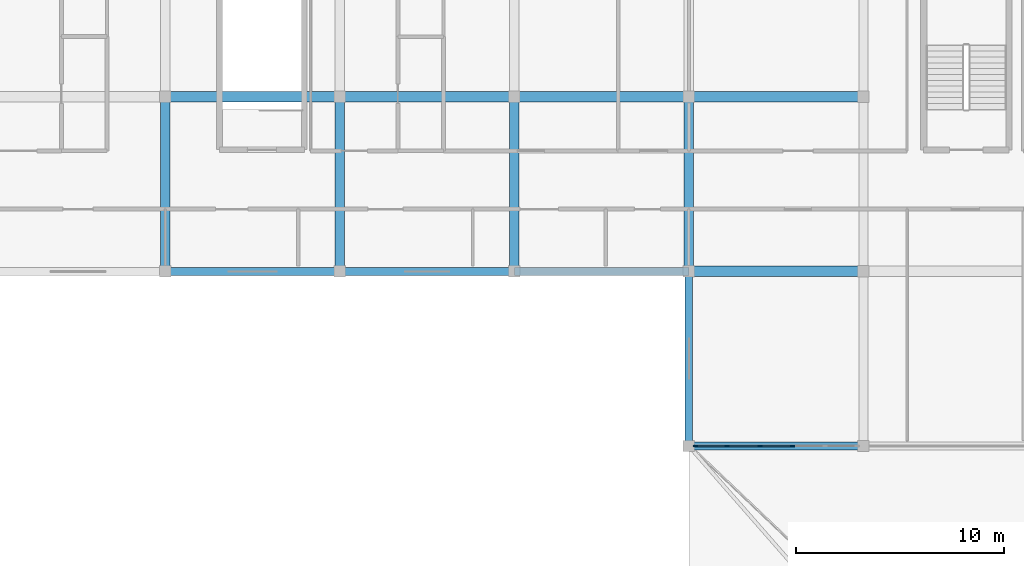
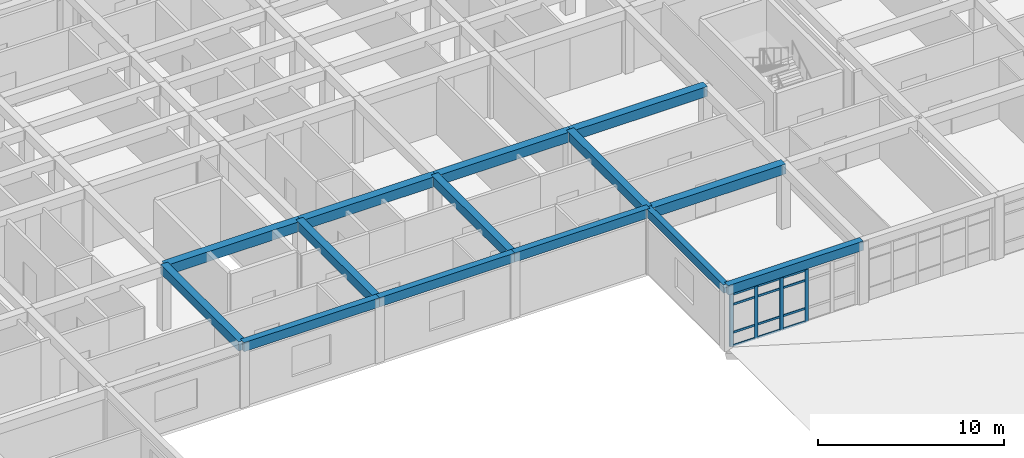
# One storey, part 13 of 77: 16 members, 14 beams, 1 element without a shape of its own.
"""IFC4 building model written with IfcOpenShell, lengths in metres."""

from ifc_helpers import new_model, si_unit, direction, frame, origin, origin_2d, place, context, subcontext, project, spatial, rectangle, extrude, material, material_profile, profile_set, type_object, element, aggregate, save


model = new_model("IFC4")

# Units and contexts
model_context = context("Model", 3, precision=1e-05, world=origin(), true_north=direction((0.0, 1.0)))
body_context = subcontext(model_context, "Body", "Model", "MODEL_VIEW")
ifc_project = project(units=[si_unit("LENGTHUNIT", "METRE"), si_unit("AREAUNIT", "SQUARE_METRE"), si_unit("VOLUMEUNIT", "CUBIC_METRE"), si_unit("PLANEANGLEUNIT", "RADIAN"), si_unit("MASSUNIT", "GRAM", prefix="KILO")], contexts=[model_context])

# Site, building, storey
site_placement = place(None, origin())
site = spatial("IfcSite", under=ifc_project, at=site_placement, CompositionType="ELEMENT")
building_placement = place(site_placement, origin())
building = spatial("IfcBuilding", under=site, at=building_placement, Name="Varncliffe General Hospital", CompositionType="ELEMENT")
storey_placement = place(building_placement, frame((0.0, 0.0, 16.199951171875)))
storey = spatial("IfcBuildingStorey", under=building, at=storey_placement, Name="L03", CompositionType="ELEMENT", Elevation=16.199951171875)

# Beams
ifc_material_1 = material(Name="Concrete C35/45 (CSA A23.1 35 MPa)", Category="concrete")
ifc_material_profile_1 = material_profile(ifc_material_1, rectangle(XDim=0.5, YDim=0.64990234375, at=origin_2d()), Name="RC 500x650")
ifc_profile_set_1 = profile_set([ifc_material_profile_1], Name="Concrete C35/45 (CSA A23.1 35 MPa)")
beam_type_1 = type_object("IfcBeamType", Name="Beam B29 (Int RC 500x650)", PredefinedType="BEAM", material=ifc_profile_set_1)
for number, where, z_axis, x_axis, name in (
    (1, (58.800048828125, 82.800048828125, 3.875), (1.0, 0.0, 0.0), (0.0, 1.0, 0.0), "L03 Primary Beam B29-72"),
    (2, (33.60009765625, 91.199951171875, 3.875), (1.0, 0.0, 0.0), (0.0, 1.0, 0.0), "L03 Primary Beam B29-90"),
    (3, (42.0, 91.199951171875, 3.875), (1.0, 0.0, 0.0), (0.0, 1.0, 0.0), "L03 Primary Beam B29-91"),
):
    element("IfcBeam", number, at=place(storey_placement, frame(where, z_axis=z_axis, x_axis=x_axis)), inside=storey, type_object=beam_type_1, Name=name, PredefinedType="BEAM", context=body_context, shape_type="SweptSolid", body=[
        extrude(rectangle(XDim=0.5, YDim=0.64990234375, at=origin_2d()), origin(), (0.0, 0.0, 1.0), 8.39990234375),
    ])
beam_1_placement = place(storey_placement, frame((50.39990234375, 91.199951171875, 3.875), z_axis=(1.0, 0.0, 0.0), x_axis=(0.0, 1.0, 0.0)))
element("IfcBeam", 4, at=beam_1_placement, inside=storey, type_object=beam_type_1, Name="L03 Primary Beam B29-92", PredefinedType="BEAM", context=body_context, shape_type="SweptSolid", body=[
    extrude(rectangle(XDim=0.5, YDim=0.64990234375, at=origin_2d()), origin(), (0.0, 0.0, 1.0), 8.400146484375),
])
beam_2_placement = place(storey_placement, frame((58.800048828125, 91.199951171875, 3.875), z_axis=(1.0, 0.0, 0.0), x_axis=(0.0, 1.0, 0.0)))
element("IfcBeam", 5, at=beam_2_placement, inside=storey, type_object=beam_type_1, Name="L03 Primary Beam B29-93", PredefinedType="BEAM", context=body_context, shape_type="SweptSolid", body=[
    extrude(rectangle(XDim=0.5, YDim=0.64990234375, at=origin_2d()), origin(), (0.0, 0.0, 1.0), 8.39990234375),
])
ifc_material_profile_2 = material_profile(ifc_material_1, rectangle(XDim=0.449951171875, YDim=0.60009765625, at=origin_2d()), Name="RC 450x600")
ifc_profile_set_2 = profile_set([ifc_material_profile_2], Name="Concrete C35/45 (CSA A23.1 35 MPa)")
beam_type_2 = type_object("IfcBeamType", Name="Beam B47 (Int RC 450x600)", PredefinedType="BEAM", material=ifc_profile_set_2)
for number, where, z_axis, x_axis, name in (
    (6, (33.60009765625, 82.800048828125, 3.900146484375), (0.0, 1.0, 0.0), (-1.0, 0.0, 0.0), "L03 Primary Beam B47-261"),
    (7, (42.0, 82.800048828125, 3.900146484375), (0.0, 1.0, 0.0), (-1.0, 0.0, 0.0), "L03 Primary Beam B47-268"),
    (8, (50.39990234375, 82.800048828125, 3.900146484375), (0.0, 1.0, 0.0), (-1.0, 0.0, 0.0), "L03 Primary Beam B47-275"),
    (9, (58.800048828125, 82.800048828125, 3.900146484375), (0.0, 1.0, 0.0), (-1.0, 0.0, 0.0), "L03 Primary Beam B47-283"),
):
    element("IfcBeam", number, at=place(storey_placement, frame(where, z_axis=z_axis, x_axis=x_axis)), inside=storey, type_object=beam_type_2, Name=name, PredefinedType="BEAM", context=body_context, shape_type="SweptSolid", body=[
        extrude(rectangle(XDim=0.449951171875, YDim=0.60009765625, at=origin_2d()), origin(), (0.0, 0.0, 1.0), 8.39990234375),
    ])

# Curtain wall, members
ifc_material_2 = material(Name="Triple low-E argon insulated vision glazing", Category="glass")
curtain_wall_type = type_object("IfcCurtainWallType", Name="Unitised Glazed Curtain Wall CW83 (7854x3440)", PredefinedType="USERDEFINED", material=ifc_material_2)
curtain_wall_placement = place(storey_placement, origin())
curtain_wall = element("IfcCurtainWall", 10, at=curtain_wall_placement, inside=storey, type_object=curtain_wall_type, Name="L03 Glazed Curtain Wall CW83-180", ObjectType="GLAZED CURTAIN WALL", PredefinedType="USERDEFINED")
ifc_material_3 = material(Name="Dark bronze thermally broken aluminium framing", Category="aluminium")
ifc_material_profile_3 = material_profile(ifc_material_3, rectangle(XDim=0.074951171875, YDim=0.219970703125, at=origin_2d()), Name="ALU 75x220")
ifc_profile_set_3 = profile_set([ifc_material_profile_3], Name="Dark bronze thermally broken aluminium framing")
member_type_1 = type_object("IfcMemberType", Name="Curtain Wall Mullion CM74 (ALU 75x220)", PredefinedType="MULLION", material=ifc_profile_set_3)
member_1_placement = place(storey_placement, frame((63.785400390625, 74.39990234375, 0.0), z_axis=(0.0, 0.0, 1.0), x_axis=(0.0, -1.0, 0.0)))
member_1 = element("IfcMember", 11, at=member_1_placement, type_object=member_type_1, Name="CW83 mullion 3", PredefinedType="MULLION", context=body_context, shape_type="SweptSolid", body=[
    extrude(rectangle(XDim=0.074951171875, YDim=0.219970703125, at=origin_2d()), origin(), (0.0, 0.0, 1.0), 3.43994140625),
])
member_2_placement = place(storey_placement, frame((62.214599609375, 74.39990234375, 0.0), z_axis=(0.0, 0.0, 1.0), x_axis=(0.0, -1.0, 0.0)))
member_2 = element("IfcMember", 12, at=member_2_placement, type_object=member_type_1, Name="CW83 mullion 4", PredefinedType="MULLION", context=body_context, shape_type="SweptSolid", body=[
    extrude(rectangle(XDim=0.074951171875, YDim=0.219970703125, at=origin_2d()), origin(), (0.0, 0.0, 1.0), 3.43994140625),
])
member_3_placement = place(storey_placement, frame((60.643798828125, 74.39990234375, 0.0), z_axis=(0.0, 0.0, 1.0), x_axis=(0.0, -1.0, 0.0)))
member_3 = element("IfcMember", 13, at=member_3_placement, type_object=member_type_1, Name="CW83 mullion 5", PredefinedType="MULLION", context=body_context, shape_type="SweptSolid", body=[
    extrude(rectangle(XDim=0.074951171875, YDim=0.219970703125, at=origin_2d()), origin(), (0.0, 0.0, 1.0), 3.43994140625),
])
member_4_placement = place(storey_placement, frame((59.110595703125, 74.39990234375, 0.0), z_axis=(0.0, 0.0, 1.0), x_axis=(0.0, -1.0, 0.0)))
member_4 = element("IfcMember", 14, at=member_4_placement, type_object=member_type_1, Name="CW83 mullion 6", PredefinedType="MULLION", context=body_context, shape_type="SweptSolid", body=[
    extrude(rectangle(XDim=0.074951171875, YDim=0.219970703125, at=origin_2d()), origin(), (0.0, 0.0, 1.0), 3.43994140625),
])
ifc_material_profile_4 = material_profile(ifc_material_3, rectangle(XDim=0.06494140625, YDim=0.139892578125, at=origin_2d()), Name="ALU 65x140")
ifc_profile_set_4 = profile_set([ifc_material_profile_4], Name="Dark bronze thermally broken aluminium framing")
member_type_2 = type_object("IfcMemberType", Name="Curtain Wall Transom CT69 (ALU 65x140)", PredefinedType="USERDEFINED", material=ifc_profile_set_4)
member_5_placement = place(storey_placement, frame((63.747802734375, 74.39990234375, 0.032470703125), z_axis=(-1.0, 0.0, 0.0), x_axis=(0.0, -1.0, 0.0)))
member_5 = element("IfcMember", 15, at=member_5_placement, type_object=member_type_2, Name="CW83 transom 3.1", ObjectType="TRANSOM", PredefinedType="USERDEFINED", context=body_context, shape_type="SweptSolid", body=[
    extrude(rectangle(XDim=0.06494140625, YDim=0.139892578125, at=origin_2d()), origin(), (0.0, 0.0, 1.0), 1.49560546875),
])
member_6_placement = place(storey_placement, frame((63.747802734375, 74.39990234375, 0.900146484375), z_axis=(-1.0, 0.0, 0.0), x_axis=(0.0, -1.0, 0.0)))
member_6 = element("IfcMember", 16, at=member_6_placement, type_object=member_type_2, Name="CW83 transom 3.2", ObjectType="TRANSOM", PredefinedType="USERDEFINED", context=body_context, shape_type="SweptSolid", body=[
    extrude(rectangle(XDim=0.06494140625, YDim=0.139892578125, at=origin_2d()), origin(), (0.0, 0.0, 1.0), 1.49560546875),
])
member_7_placement = place(storey_placement, frame((63.747802734375, 74.39990234375, 2.739990234375), z_axis=(-1.0, 0.0, 0.0), x_axis=(0.0, -1.0, 0.0)))
member_7 = element("IfcMember", 17, at=member_7_placement, type_object=member_type_2, Name="CW83 transom 3.3", ObjectType="TRANSOM", PredefinedType="USERDEFINED", context=body_context, shape_type="SweptSolid", body=[
    extrude(rectangle(XDim=0.06494140625, YDim=0.139892578125, at=origin_2d()), origin(), (0.0, 0.0, 1.0), 1.49560546875),
])
member_8_placement = place(storey_placement, frame((63.747802734375, 74.39990234375, 3.407470703125), z_axis=(-1.0, 0.0, 0.0), x_axis=(0.0, -1.0, 0.0)))
member_8 = element("IfcMember", 18, at=member_8_placement, type_object=member_type_2, Name="CW83 transom 3.4", ObjectType="TRANSOM", PredefinedType="USERDEFINED", context=body_context, shape_type="SweptSolid", body=[
    extrude(rectangle(XDim=0.06494140625, YDim=0.139892578125, at=origin_2d()), origin(), (0.0, 0.0, 1.0), 1.49560546875),
])
member_9_placement = place(storey_placement, frame((62.177001953125, 74.39990234375, 0.032470703125), z_axis=(-1.0, 0.0, 0.0), x_axis=(0.0, -1.0, 0.0)))
member_9 = element("IfcMember", 19, at=member_9_placement, type_object=member_type_2, Name="CW83 transom 4.1", ObjectType="TRANSOM", PredefinedType="USERDEFINED", context=body_context, shape_type="SweptSolid", body=[
    extrude(rectangle(XDim=0.06494140625, YDim=0.139892578125, at=origin_2d()), origin(), (0.0, 0.0, 1.0), 1.49560546875),
])
member_10_placement = place(storey_placement, frame((62.177001953125, 74.39990234375, 0.900146484375), z_axis=(-1.0, 0.0, 0.0), x_axis=(0.0, -1.0, 0.0)))
member_10 = element("IfcMember", 20, at=member_10_placement, type_object=member_type_2, Name="CW83 transom 4.2", ObjectType="TRANSOM", PredefinedType="USERDEFINED", context=body_context, shape_type="SweptSolid", body=[
    extrude(rectangle(XDim=0.06494140625, YDim=0.139892578125, at=origin_2d()), origin(), (0.0, 0.0, 1.0), 1.49560546875),
])
member_11_placement = place(storey_placement, frame((62.177001953125, 74.39990234375, 2.739990234375), z_axis=(-1.0, 0.0, 0.0), x_axis=(0.0, -1.0, 0.0)))
member_11 = element("IfcMember", 21, at=member_11_placement, type_object=member_type_2, Name="CW83 transom 4.3", ObjectType="TRANSOM", PredefinedType="USERDEFINED", context=body_context, shape_type="SweptSolid", body=[
    extrude(rectangle(XDim=0.06494140625, YDim=0.139892578125, at=origin_2d()), origin(), (0.0, 0.0, 1.0), 1.49560546875),
])
member_12_placement = place(storey_placement, frame((62.177001953125, 74.39990234375, 3.407470703125), z_axis=(-1.0, 0.0, 0.0), x_axis=(0.0, -1.0, 0.0)))
member_12 = element("IfcMember", 22, at=member_12_placement, type_object=member_type_2, Name="CW83 transom 4.4", ObjectType="TRANSOM", PredefinedType="USERDEFINED", context=body_context, shape_type="SweptSolid", body=[
    extrude(rectangle(XDim=0.06494140625, YDim=0.139892578125, at=origin_2d()), origin(), (0.0, 0.0, 1.0), 1.49560546875),
])
member_13_placement = place(storey_placement, frame((60.606201171875, 74.39990234375, 0.032470703125), z_axis=(-1.0, 0.0, 0.0), x_axis=(0.0, -1.0, 0.0)))
member_13 = element("IfcMember", 23, at=member_13_placement, type_object=member_type_2, Name="CW83 transom 5.1", ObjectType="TRANSOM", PredefinedType="USERDEFINED", context=body_context, shape_type="SweptSolid", body=[
    extrude(rectangle(XDim=0.06494140625, YDim=0.139892578125, at=origin_2d()), origin(), (0.0, 0.0, 1.0), 1.458251953125),
])
member_14_placement = place(storey_placement, frame((60.606201171875, 74.39990234375, 0.900146484375), z_axis=(-1.0, 0.0, 0.0), x_axis=(0.0, -1.0, 0.0)))
member_14 = element("IfcMember", 24, at=member_14_placement, type_object=member_type_2, Name="CW83 transom 5.2", ObjectType="TRANSOM", PredefinedType="USERDEFINED", context=body_context, shape_type="SweptSolid", body=[
    extrude(rectangle(XDim=0.06494140625, YDim=0.139892578125, at=origin_2d()), origin(), (0.0, 0.0, 1.0), 1.458251953125),
])
member_15_placement = place(storey_placement, frame((60.606201171875, 74.39990234375, 2.739990234375), z_axis=(-1.0, 0.0, 0.0), x_axis=(0.0, -1.0, 0.0)))
member_15 = element("IfcMember", 25, at=member_15_placement, type_object=member_type_2, Name="CW83 transom 5.3", ObjectType="TRANSOM", PredefinedType="USERDEFINED", context=body_context, shape_type="SweptSolid", body=[
    extrude(rectangle(XDim=0.06494140625, YDim=0.139892578125, at=origin_2d()), origin(), (0.0, 0.0, 1.0), 1.458251953125),
])
member_16_placement = place(storey_placement, frame((60.606201171875, 74.39990234375, 3.407470703125), z_axis=(-1.0, 0.0, 0.0), x_axis=(0.0, -1.0, 0.0)))
member_16 = element("IfcMember", 26, at=member_16_placement, type_object=member_type_2, Name="CW83 transom 5.4", ObjectType="TRANSOM", PredefinedType="USERDEFINED", context=body_context, shape_type="SweptSolid", body=[
    extrude(rectangle(XDim=0.06494140625, YDim=0.139892578125, at=origin_2d()), origin(), (0.0, 0.0, 1.0), 1.458251953125),
])
aggregate(curtain_wall, [member_1, member_2, member_3, member_4, member_5, member_6, member_7, member_8, member_9, member_10, member_11, member_12, member_13, member_14, member_15, member_16])

# Beams
ifc_material_profile_5 = material_profile(ifc_material_1, rectangle(XDim=0.35009765625, YDim=0.550048828125, at=origin_2d()), Name="RC 350x550")
ifc_profile_set_5 = profile_set([ifc_material_profile_5], Name="Concrete C35/45 (CSA A23.1 35 MPa)")
beam_type_3 = type_object("IfcBeamType", Name="Spandrel SP20 (Ext RC 350x550)", PredefinedType="SPANDREL", material=ifc_profile_set_5)
beam_3_placement = place(storey_placement, frame((58.800048828125, 74.39990234375, 3.925048828125), z_axis=(0.0, 1.0, 0.0), x_axis=(-1.0, 0.0, 0.0)))
element("IfcBeam", 27, at=beam_3_placement, inside=storey, type_object=beam_type_3, Name="L03 Spandrel Beam SP20-282", PredefinedType="SPANDREL", context=body_context, shape_type="SweptSolid", body=[
    extrude(rectangle(XDim=0.35009765625, YDim=0.550048828125, at=origin_2d()), origin(), (0.0, 0.0, 1.0), 8.400146484375),
])
ifc_material_profile_6 = material_profile(ifc_material_1, rectangle(XDim=0.39990234375, YDim=0.60009765625, at=origin_2d()), Name="RC 400x600")
ifc_profile_set_6 = profile_set([ifc_material_profile_6], Name="Concrete C35/45 (CSA A23.1 35 MPa)")
beam_type_4 = type_object("IfcBeamType", Name="Spandrel SP58 (Ext RC 400x600B)", PredefinedType="SPANDREL", material=ifc_profile_set_6)
for number, where, z_axis, x_axis, name in (
    (28, (58.800048828125, 74.39990234375, 3.900146484375), (1.0, 0.0, 0.0), (0.0, 1.0, 0.0), "L03 Spandrel Beam SP58-55"),
    (29, (33.60009765625, 82.800048828125, 3.900146484375), (1.0, 0.0, 0.0), (0.0, 1.0, 0.0), "L03 Spandrel Beam SP58-69"),
    (30, (42.0, 82.800048828125, 3.900146484375), (1.0, 0.0, 0.0), (0.0, 1.0, 0.0), "L03 Spandrel Beam SP58-70"),
):
    element("IfcBeam", number, at=place(storey_placement, frame(where, z_axis=z_axis, x_axis=x_axis)), inside=storey, type_object=beam_type_4, Name=name, PredefinedType="SPANDREL", context=body_context, shape_type="SweptSolid", body=[
        extrude(rectangle(XDim=0.39990234375, YDim=0.60009765625, at=origin_2d()), origin(), (0.0, 0.0, 1.0), 8.39990234375),
    ])
beam_4_placement = place(storey_placement, frame((50.39990234375, 82.800048828125, 3.900146484375), z_axis=(1.0, 0.0, 0.0), x_axis=(0.0, 1.0, 0.0)))
element("IfcBeam", 31, at=beam_4_placement, inside=storey, type_object=beam_type_4, Name="L03 Spandrel Beam SP58-71", PredefinedType="SPANDREL", context=body_context, shape_type="SweptSolid", body=[
    extrude(rectangle(XDim=0.39990234375, YDim=0.60009765625, at=origin_2d()), origin(), (0.0, 0.0, 1.0), 8.400146484375),
])

save(model, "model.ifc")
